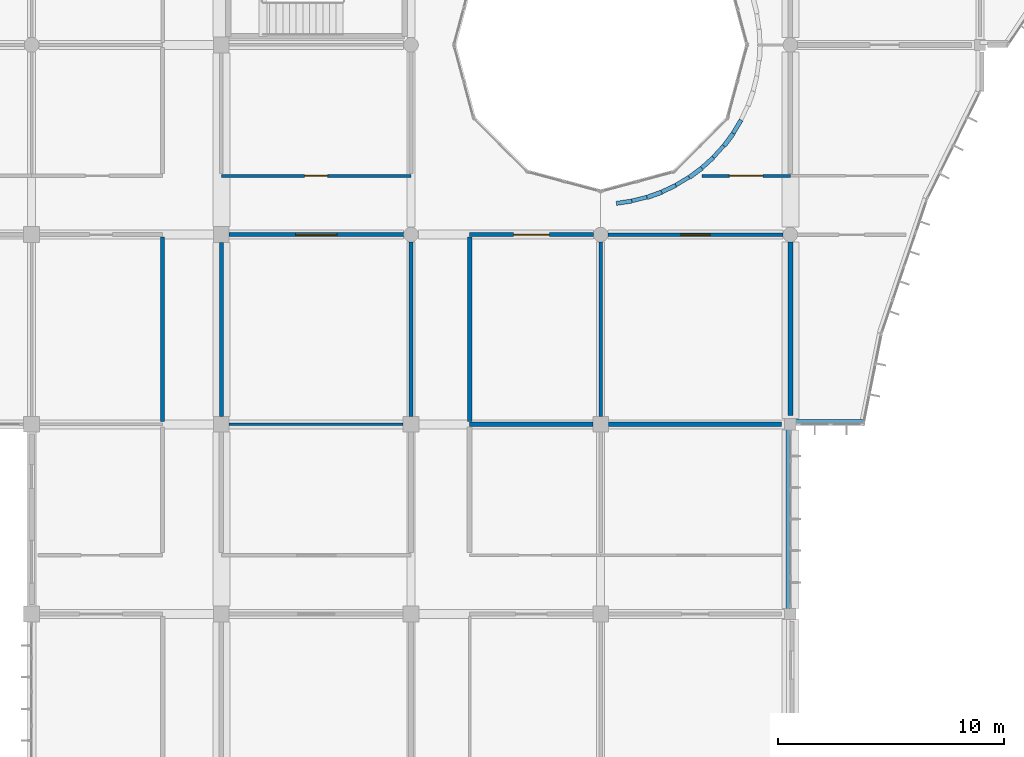
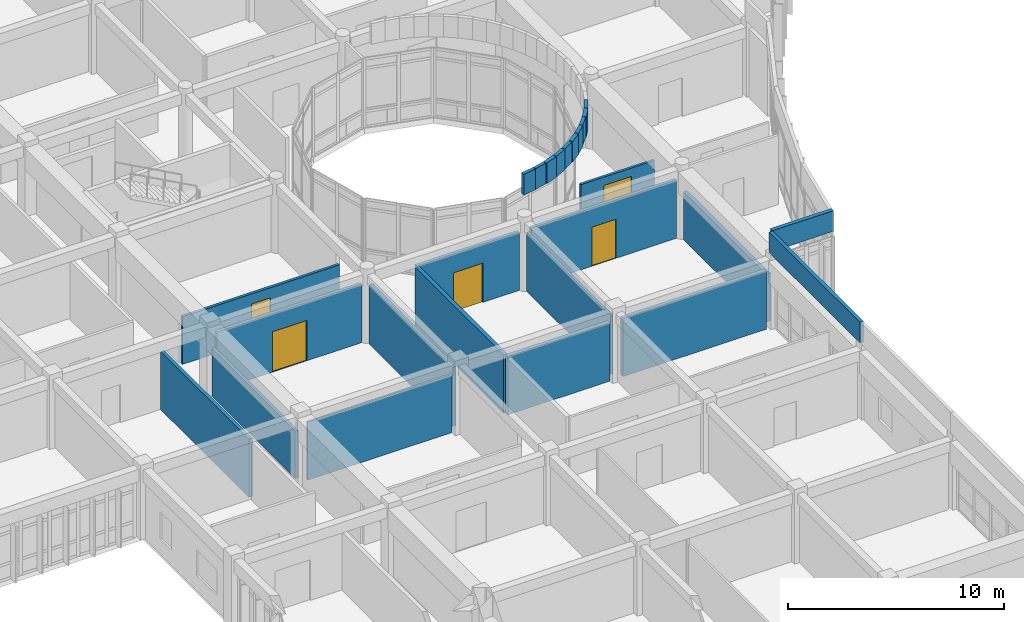
# One storey, part 82 of 119: 26 walls, 5 doors, 5 openings.
"""IFC4 building model written with IfcOpenShell, lengths in metres."""

import ifcopenshell
import ifcopenshell.guid

model = None  # the IFC model being written
_history = None  # IfcOwnerHistory: only IFC2X3 demands one
_inside = {}  # id of a spatial element -> (the spatial element, [elements in it])
_under = {}  # id of a project, library or spatial element -> (it, [spatial elements below it])
_declared = {}  # id of a project -> (the project, [libraries it declares])
_typed = {}  # id of a type object -> (the type object, [elements of that type])
_made_of = {}  # id of a material, layer set ... -> (it, [elements and type objects made of it])


def new_model(schema):
    """Start an empty IFC model of exactly this schema.

    Asked for "IFC4X3", IfcOpenShell would pick the latest addendum, in which some entities
    have other attributes; the version numbers below select the first issue.
    IFC2X3 requires an IfcOwnerHistory on every rooted entity: one is made here for all.
    """
    global model, _history
    if schema == "IFC4X3":
        model = ifcopenshell.file(schema_version=(4, 3, 0, 0))
    else:
        model = ifcopenshell.file(schema=schema)
    _inside.clear()
    _under.clear()
    _declared.clear()
    _typed.clear()
    _made_of.clear()
    _history = None
    if model.schema == "IFC2X3":
        org = make("IfcOrganization", Name="unknown")
        user = make(
            "IfcPersonAndOrganization",
            ThePerson=make("IfcPerson", FamilyName="unknown"),
            TheOrganization=org,
        )
        app = make(
            "IfcApplication",
            ApplicationDeveloper=org,
            Version="unknown",
            ApplicationFullName="unknown",
            ApplicationIdentifier="unknown",
        )
        _history = make(
            "IfcOwnerHistory",
            OwningUser=user,
            OwningApplication=app,
            ChangeAction="ADDED",
            CreationDate=0,
        )
    return model


def make(cls, **values):
    """One entity of the class cls with the attributes given. An attribute that is None is left unset."""
    return model.create_entity(
        cls, **{name: value for name, value in values.items() if value is not None}
    )


def rooted(cls, **values):
    """An entity with a GlobalId (a new one), such as an element, a storey or a relation."""
    return make(cls, GlobalId=ifcopenshell.guid.new(), OwnerHistory=_history, **values)


def si_unit(unit_type, name, prefix=None):
    """IfcSIUnit, for example si_unit("LENGTHUNIT", "METRE", prefix="MILLI")."""
    return make("IfcSIUnit", UnitType=unit_type, Prefix=prefix, Name=name)


def assignment(units):
    """IfcUnitAssignment: the units of a project."""
    return None if units is None else make("IfcUnitAssignment", Units=units)


def point(xyz):
    """IfcCartesianPoint."""
    return None if xyz is None else make("IfcCartesianPoint", Coordinates=xyz)


def direction(xyz):
    """IfcDirection."""
    return None if xyz is None else make("IfcDirection", DirectionRatios=xyz)


def frame(location, z_axis=None, x_axis=None):
    """IfcAxis2Placement3D, a coordinate frame: its origin and axes. An axis left out is left unset."""
    return make(
        "IfcAxis2Placement3D",
        Location=point(location),
        Axis=direction(z_axis),
        RefDirection=direction(x_axis),
    )


def frame_2d(location, x_axis=None):
    """IfcAxis2Placement2D, a coordinate frame in the plane: its origin and x axis."""
    return make(
        "IfcAxis2Placement2D", Location=point(location), RefDirection=direction(x_axis)
    )


def origin():
    """The frame at (0, 0, 0) with its axes left unset."""
    return frame((0.0, 0.0, 0.0))


def place(relative_to, where):
    """IfcLocalPlacement: puts the frame where relative to a parent placement (None: the world)."""
    return make(
        "IfcLocalPlacement", PlacementRelTo=relative_to, RelativePlacement=where
    )


def context(
    kind, dimensions, precision=None, world=None, true_north=None, identifier=None
):
    """IfcGeometricRepresentationContext, for example the 3D "Model" context."""
    return make(
        "IfcGeometricRepresentationContext",
        ContextIdentifier=identifier,
        ContextType=kind,
        CoordinateSpaceDimension=dimensions,
        Precision=precision,
        WorldCoordinateSystem=world,
        TrueNorth=true_north,
    )


def subcontext(parent, identifier, kind, view, scale=None):
    """IfcGeometricRepresentationSubContext, for example "Body" below "Model"."""
    return make(
        "IfcGeometricRepresentationSubContext",
        ContextIdentifier=identifier,
        ContextType=kind,
        ParentContext=parent,
        TargetScale=scale,
        TargetView=view,
    )


def project(units=None, contexts=None):
    """IfcProject with its units and contexts."""
    return rooted(
        "IfcProject",
        Name="project",
        RepresentationContexts=contexts,
        UnitsInContext=assignment(units),
    )


def spatial(cls, under=None, at=None, **own):
    """A site, building, storey or space (cls), placed at a placement, below another one or the project."""
    s = rooted(cls, ObjectPlacement=at, **own)
    if under is not None:
        _under.setdefault(under.id(), (under, []))[1].append(s)
    return s


def profile(cls, at=None, kind="AREA", **sizes):
    """A parametric profile (cls). Its sizes go by their IFC names, for example OverallWidth=200.0."""
    return make(cls, ProfileType=kind, Position=at, **sizes)


def rectangle(**sizes):
    """IfcRectangleProfileDef."""
    return profile("IfcRectangleProfileDef", **sizes)


def extrude(swept, where, along, depth):
    """IfcExtrudedAreaSolid: the profile swept, set in the frame where, extruded along a direction by depth."""
    return make(
        "IfcExtrudedAreaSolid",
        SweptArea=swept,
        Position=where,
        ExtrudedDirection=direction(along),
        Depth=depth,
    )


def shape(context_of_items, identifier, shape_type, items):
    """IfcShapeRepresentation: the items that make up one representation, for example the "Body"."""
    return make(
        "IfcShapeRepresentation",
        ContextOfItems=context_of_items,
        RepresentationIdentifier=identifier,
        RepresentationType=shape_type,
        Items=items,
    )


def material(Name=None, Category=None):
    """IfcMaterial."""
    return make("IfcMaterial", Name=Name, Category=Category)


def layer(
    of_material, thickness, ventilated=None, Name=None, Category=None, Priority=None
):
    """IfcMaterialLayer: one layer of a wall or slab, of a material (None: an air gap)."""
    return make(
        "IfcMaterialLayer",
        Material=of_material,
        LayerThickness=thickness,
        IsVentilated=ventilated,
        Name=Name,
        Category=Category,
        Priority=Priority,
    )


def layer_set(layers, Name=None):
    """IfcMaterialLayerSet."""
    return make("IfcMaterialLayerSet", MaterialLayers=layers, LayerSetName=Name)


def made_of(thing, what):
    """Note that an element or type object is made of a material, layer set ...; save() writes the relation."""
    if what is not None:
        _made_of.setdefault(what.id(), (what, []))[1].append(thing)
    return thing


def type_object(cls, material=None, **own):
    """A type object (cls), such as IfcWallType, which elements share."""
    return made_of(rooted(cls, **own), material)


def element(
    cls,
    number,
    at=None,
    inside=None,
    cuts=None,
    type_object=None,
    material=None,
    context=None,
    identifier="Body",
    shape_type=None,
    held_by="IfcProductDefinitionShape",
    body=None,
    shapes=None,
    **own,
):
    """One element of the class cls, such as IfcWall. Its Tag is "e" and its number.

    at: its placement. inside: the storey or other place that contains it. cuts: it is an
    opening in that element (IfcRelVoidsElement). A single representation is given by context,
    identifier, shape_type and body (its items); several are given by shapes. held_by: the class
    of the entity that holds the representations. save() writes the other relations.
    """
    e = rooted(cls, Tag="e%d" % number, ObjectPlacement=at, **own)
    if body is not None:
        shapes = [shape(context, identifier, shape_type, body)]
    if shapes is not None:
        e.Representation = make(held_by, Representations=shapes)
    if inside is not None:
        _inside.setdefault(inside.id(), (inside, []))[1].append(e)
    if cuts is not None:
        rooted(
            "IfcRelVoidsElement", RelatingBuildingElement=cuts, RelatedOpeningElement=e
        )
    if type_object is not None:
        _typed.setdefault(type_object.id(), (type_object, []))[1].append(e)
    return made_of(e, material)


def fill(opening, filler):
    """IfcRelFillsElement: the door or window that sits in an opening."""
    return rooted(
        "IfcRelFillsElement",
        RelatingOpeningElement=opening,
        RelatedBuildingElement=filler,
    )


def aggregate(whole, parts):
    """IfcRelAggregates: a whole, such as a stair, and the parts it consists of."""
    return rooted("IfcRelAggregates", RelatingObject=whole, RelatedObjects=parts)


def save(model, path):
    """Write the relations noted so far, then the file.

    IfcRelAggregates (storeys below a building ...), IfcRelContainedInSpatialStructure (elements
    in a storey), IfcRelDefinesByType, IfcRelAssociatesMaterial and IfcRelDeclares: one each for
    every whole, place, type object, material and project.
    """
    for whole, parts in _under.values():
        aggregate(whole, parts)
    for where, things in _inside.values():
        rooted(
            "IfcRelContainedInSpatialStructure",
            RelatedElements=things,
            RelatingStructure=where,
        )
    for kind, things in _typed.values():
        rooted("IfcRelDefinesByType", RelatedObjects=things, RelatingType=kind)
    for what, things in _made_of.values():
        rooted("IfcRelAssociatesMaterial", RelatedObjects=things, RelatingMaterial=what)
    for by, libraries in _declared.values():
        rooted("IfcRelDeclares", RelatingContext=by, RelatedDefinitions=libraries)
    model.write(path)


model = new_model("IFC4")

# Units and contexts
model_context = context("Model", 3, precision=1e-05, world=origin(), true_north=direction((0.0, 1.0)))
body_context = subcontext(model_context, "Body", "Model", "MODEL_VIEW")
ifc_project = project(units=[si_unit("LENGTHUNIT", "METRE"), si_unit("AREAUNIT", "SQUARE_METRE"), si_unit("VOLUMEUNIT", "CUBIC_METRE"), si_unit("PLANEANGLEUNIT", "RADIAN"), si_unit("MASSUNIT", "GRAM", prefix="KILO")], contexts=[model_context])

# Site, building, storey
site_placement = place(None, origin())
site = spatial("IfcSite", under=ifc_project, at=site_placement, CompositionType="ELEMENT")
building_placement = place(site_placement, origin())
building = spatial("IfcBuilding", under=site, at=building_placement, Name="Bramfleet General Hospital", CompositionType="ELEMENT")
storey_placement = place(building_placement, frame((0.0, 0.0, 14.39990234375)))
storey = spatial("IfcBuildingStorey", under=building, at=storey_placement, Name="L03", CompositionType="ELEMENT", Elevation=14.39990234375)

# Walls
ifc_material_1 = material(Name="Concrete C35/45", Category="concrete")
ifc_layer_1 = layer(ifc_material_1, 0.219970703125, Name="WT-IW-01")
ifc_layer_set_1 = layer_set([ifc_layer_1], Name="Concrete C35/45")
wall_type_1 = type_object("IfcWallType", Name="WT-IW-01", PredefinedType="PARTITIONING", material=ifc_layer_set_1)
wall_1_placement = place(storey_placement, frame((111.800048828125, 50.39990234375, 0.0), z_axis=(0.0, 0.0, 1.0), x_axis=(1.0, 0.0, 0.0)))
element("IfcWall", 1, at=wall_1_placement, inside=storey, type_object=wall_type_1, Name="L03 Interior Partition IW-L03-2533", PredefinedType="PARTITIONING", context=body_context, shape_type="SweptSolid", body=[
    extrude(rectangle(XDim=5.454833984375, YDim=0.219970703125, at=frame_2d((2.7275390625, 0.0))), origin(), (0.0, 0.0, 1.0), 3.2900390625),
])
wall_2_placement = place(storey_placement, frame((126.0, 50.7900390625, 0.0), z_axis=(0.0, 0.0, 1.0), x_axis=(0.0, 1.0, 0.0)))
element("IfcWall", 2, at=wall_2_placement, inside=storey, type_object=wall_type_1, Name="L03 Interior Partition IW-L03-3001", PredefinedType="PARTITIONING", context=body_context, shape_type="SweptSolid", body=[
    extrude(rectangle(XDim=7.68994140625, YDim=0.219970703125, at=frame_2d((3.844970703125, 0.0))), origin(), (0.0, 0.0, 1.0), 2.690185546875),
])
ifc_layer_2 = layer(ifc_material_1, 0.205078125, Name="WT-IW-02")
ifc_layer_set_2 = layer_set([ifc_layer_2], Name="Concrete C35/45")
wall_type_2 = type_object("IfcWallType", Name="WT-IW-02", PredefinedType="PARTITIONING", material=ifc_layer_set_2)
wall_3_placement = place(storey_placement, frame((117.945068359375, 50.39990234375, 0.0), z_axis=(0.0, 0.0, 1.0), x_axis=(1.0, 0.0, 0.0)))
element("IfcWall", 3, at=wall_3_placement, inside=storey, type_object=wall_type_2, Name="L03 Interior Partition IW-L03-2534", PredefinedType="PARTITIONING", context=body_context, shape_type="SweptSolid", body=[
    extrude(rectangle(XDim=7.67236328125, YDim=0.205078125, at=frame_2d((3.836181640625, 0.0))), origin(), (0.0, 0.0, 1.0), 3.2900390625),
])
wall_4_placement = place(storey_placement, frame((111.800048828125, 50.514892578125, 0.0), z_axis=(0.0, 0.0, 1.0), x_axis=(0.0, 1.0, 0.0)))
element("IfcWall", 4, at=wall_4_placement, inside=storey, type_object=wall_type_2, Name="L03 Interior Partition IW-L03-2966", PredefinedType="PARTITIONING", context=body_context, shape_type="SweptSolid", body=[
    extrude(rectangle(XDim=8.170166015625, YDim=0.205078125, at=frame_2d((4.0849609375, 0.0))), origin(), (0.0, 0.0, 1.0), 3.2900390625),
])
ifc_layer_3 = layer(ifc_material_1, 0.18994140625, Name="WT-IW-03")
ifc_layer_set_3 = layer_set([ifc_layer_3], Name="Concrete C35/45")
wall_type_3 = type_object("IfcWallType", Name="WT-IW-03", PredefinedType="PARTITIONING", material=ifc_layer_set_3)
wall_5_placement = place(storey_placement, frame((109.199951171875, 50.7451171875, 0.0), z_axis=(0.0, 0.0, 1.0), x_axis=(0.0, 1.0, 0.0)))
element("IfcWall", 5, at=wall_5_placement, inside=storey, type_object=wall_type_3, Name="L03 Interior Partition IW-L03-2955", PredefinedType="PARTITIONING", context=body_context, shape_type="SweptSolid", body=[
    extrude(rectangle(XDim=7.73486328125, YDim=0.18994140625, at=frame_2d((3.867431640625, 0.0))), origin(), (0.0, 0.0, 1.0), 3.340087890625),
])

# Wall, opening, door
ifc_layer_4 = layer(ifc_material_1, 0.179931640625, Name="WT-IW-04")
ifc_layer_set_4 = layer_set([ifc_layer_4], Name="Concrete C35/45")
wall_type_4 = type_object("IfcWallType", Name="WT-IW-04", PredefinedType="PARTITIONING", material=ifc_layer_set_4)
wall_6_placement = place(storey_placement, frame((101.14501953125, 58.800048828125, 0.0), z_axis=(0.0, 0.0, 1.0), x_axis=(1.0, 0.0, 0.0)))
wall_6 = element("IfcWall", 6, at=wall_6_placement, inside=storey, type_object=wall_type_4, Name="L03 Interior Partition IW-L03-2548", PredefinedType="PARTITIONING", context=body_context, shape_type="SweptSolid", body=[
    extrude(rectangle(XDim=7.73486328125, YDim=0.179931640625, at=frame_2d((3.867431640625, 0.0))), origin(), (0.0, 0.0, 1.0), 3.2900390625),
])
opening_1_placement = place(wall_6_placement, frame((2.947509765625, 0.0, 0.0)))
opening_1 = element("IfcOpeningElement", 7, at=opening_1_placement, cuts=wall_6, Name="Opening D1140", PredefinedType="OPENING", context=body_context, shape_type="SweptSolid", body=[
    extrude(rectangle(XDim=1.840087890625, YDim=2.280029296875, at=frame_2d((0.919921875, 1.14013671875))), frame((0.0, 0.099853515625, 0.0), z_axis=(0.0, -1.0, 0.0), x_axis=(1.0, 0.0, 0.0)), (0.0, 0.0, 1.0), 0.199951171875),
])
ifc_material_2 = material(Name="Stainless steel and acoustic timber leaf", Category="steel")
door_type_1 = type_object("IfcDoorType", Name="DR-D-20", OperationType="NOTDEFINED", PredefinedType="DOOR", material=ifc_material_2)
door_1_placement = place(opening_1_placement, origin())
door_1 = element("IfcDoor", 8, at=door_1_placement, inside=storey, type_object=door_type_1, Name="Maternity Delivery Suite and Clinical Lab L03-1206 Door D1140", OperationType="DOUBLE_SWING_LEFT", OverallHeight=2.280029296875, OverallWidth=1.840087890625, PredefinedType="DOOR", context=body_context, shape_type="SweptSolid", body=[
    extrude(rectangle(XDim=1.840087890625, YDim=2.280029296875, at=frame_2d((0.919921875, 1.14013671875))), frame((0.0, 0.02490234375, 0.0), z_axis=(0.0, -1.0, 0.0), x_axis=(1.0, 0.0, 0.0)), (0.0, 0.0, 1.0), 0.050048828125),
])
fill(opening_1, door_1)

# Walls
wall_7_placement = place(storey_placement, frame((98.199951171875, 50.514892578125, 0.0), z_axis=(0.0, 0.0, 1.0), x_axis=(0.0, 1.0, 0.0)))
element("IfcWall", 9, at=wall_7_placement, inside=storey, type_object=wall_type_4, Name="L03 Interior Partition IW-L03-2932", PredefinedType="PARTITIONING", context=body_context, shape_type="SweptSolid", body=[
    extrude(rectangle(XDim=8.170166015625, YDim=0.179931640625, at=frame_2d((4.0849609375, 0.0))), origin(), (0.0, 0.0, 1.0), 3.2900390625),
])
wall_8_placement = place(storey_placement, frame((100.800048828125, 50.7451171875, 0.0), z_axis=(0.0, 0.0, 1.0), x_axis=(0.0, 1.0, 0.0)))
element("IfcWall", 10, at=wall_8_placement, inside=storey, type_object=wall_type_4, Name="L03 Interior Partition IW-L03-2944", PredefinedType="PARTITIONING", context=body_context, shape_type="SweptSolid", body=[
    extrude(rectangle(XDim=7.7099609375, YDim=0.179931640625, at=frame_2d((3.85498046875, 0.0))), origin(), (0.0, 0.0, 1.0), 2.690185546875),
])

# Wall, opening, door
ifc_material_3 = material(Name="Gypsum plasterboard on acoustic steel studs", Category="steel")
ifc_layer_5 = layer(ifc_material_3, 0.169921875, Name="WT-IW-05")
ifc_layer_set_5 = layer_set([ifc_layer_5], Name="Gypsum plasterboard on acoustic steel studs")
wall_type_5 = type_object("IfcWallType", Name="WT-IW-05", PredefinedType="PARTITIONING", material=ifc_layer_set_5)
wall_9_placement = place(storey_placement, frame((111.800048828125, 58.800048828125, 0.0), z_axis=(0.0, 0.0, 1.0), x_axis=(1.0, 0.0, 0.0)))
wall_9 = element("IfcWall", 11, at=wall_9_placement, inside=storey, type_object=wall_type_5, Name="L03 Interior Partition IW-L03-2549", PredefinedType="PARTITIONING", context=body_context, shape_type="SweptSolid", body=[
    extrude(rectangle(XDim=5.47998046875, YDim=0.169921875, at=frame_2d((2.739990234375, 0.0))), origin(), (0.0, 0.0, 1.0), 3.2900390625),
])
opening_2_placement = place(wall_9_placement, frame((1.949951171875, 0.0, 0.0)))
opening_2 = element("IfcOpeningElement", 12, at=opening_2_placement, cuts=wall_9, Name="Opening D1152", PredefinedType="OPENING", context=body_context, shape_type="SweptSolid", body=[
    extrude(rectangle(XDim=1.580078125, YDim=2.219970703125, at=frame_2d((0.7900390625, 1.10986328125))), frame((0.0, 0.094970703125, 0.0), z_axis=(0.0, -1.0, 0.0), x_axis=(1.0, 0.0, 0.0)), (0.0, 0.0, 1.0), 0.18994140625),
])
door_type_2 = type_object("IfcDoorType", Name="DR-D-32", OperationType="NOTDEFINED", PredefinedType="DOOR", material=ifc_material_2)
door_2_placement = place(opening_2_placement, origin())
door_2 = element("IfcDoor", 13, at=door_2_placement, inside=storey, type_object=door_type_2, Name="Maternity Delivery Suite and Clinical Lab L03-1306 Door D1152", OperationType="DOUBLE_SWING_LEFT", OverallHeight=2.219970703125, OverallWidth=1.580078125, PredefinedType="DOOR", context=body_context, shape_type="SweptSolid", body=[
    extrude(rectangle(XDim=1.580078125, YDim=2.219970703125, at=frame_2d((0.7900390625, 1.10986328125))), frame((0.0, 0.02490234375, 0.0), z_axis=(0.0, -1.0, 0.0), x_axis=(1.0, 0.0, 0.0)), (0.0, 0.0, 1.0), 0.050048828125),
])
fill(opening_2, door_2)

ifc_layer_6 = layer(ifc_material_3, 0.159912109375, Name="WT-IW-06")
ifc_layer_set_6 = layer_set([ifc_layer_6], Name="Gypsum plasterboard on acoustic steel studs")
wall_type_6 = type_object("IfcWallType", Name="WT-IW-06", PredefinedType="PARTITIONING", material=ifc_layer_set_6)
wall_10_placement = place(storey_placement, frame((117.919921875, 58.800048828125, 0.0), z_axis=(0.0, 0.0, 1.0), x_axis=(1.0, 0.0, 0.0)))
wall_10 = element("IfcWall", 14, at=wall_10_placement, inside=storey, type_object=wall_type_6, Name="L03 Interior Partition IW-L03-2550", PredefinedType="PARTITIONING", context=body_context, shape_type="SweptSolid", body=[
    extrude(rectangle(XDim=7.760009765625, YDim=0.159912109375, at=frame_2d((3.8798828125, 0.0))), origin(), (0.0, 0.0, 1.0), 3.2900390625),
])
opening_3_placement = place(wall_10_placement, frame((3.22998046875, 0.0, 0.0)))
opening_3 = element("IfcOpeningElement", 15, at=opening_3_placement, cuts=wall_10, Name="Opening D1167", PredefinedType="OPENING", context=body_context, shape_type="SweptSolid", body=[
    extrude(rectangle(XDim=1.300048828125, YDim=2.199951171875, at=frame_2d((0.64990234375, 1.10009765625))), frame((0.0, 0.08984375, 0.0), z_axis=(0.0, -1.0, 0.0), x_axis=(1.0, 0.0, 0.0)), (0.0, 0.0, 1.0), 0.179931640625),
])
door_type_3 = type_object("IfcDoorType", Name="DR-D-15", OperationType="NOTDEFINED", PredefinedType="DOOR", material=ifc_material_2)
door_3_placement = place(opening_3_placement, origin())
door_3 = element("IfcDoor", 16, at=door_3_placement, inside=storey, type_object=door_type_3, Name="Maternity Delivery Suite and Clinical Lab L03-1406 Door D1167", OperationType="SINGLE_SWING_RIGHT", OverallHeight=2.199951171875, OverallWidth=1.300048828125, PredefinedType="DOOR", context=body_context, shape_type="SweptSolid", body=[
    extrude(rectangle(XDim=1.300048828125, YDim=2.199951171875, at=frame_2d((0.64990234375, 1.10009765625))), frame((0.0, 0.02490234375, 0.0), z_axis=(0.0, -1.0, 0.0), x_axis=(1.0, 0.0, 0.0)), (0.0, 0.0, 1.0), 0.050048828125),
])
fill(opening_3, door_3)

ifc_layer_7 = layer(ifc_material_3, 0.139892578125, Name="WT-IW-08")
ifc_layer_set_7 = layer_set([ifc_layer_7], Name="Gypsum plasterboard on acoustic steel studs")
wall_type_7 = type_object("IfcWallType", Name="WT-IW-08", PredefinedType="PARTITIONING", material=ifc_layer_set_7)
wall_11_placement = place(storey_placement, frame((100.800048828125, 61.39990234375, 0.0), z_axis=(0.0, 0.0, 1.0), x_axis=(1.0, 0.0, 0.0)))
wall_11 = element("IfcWall", 17, at=wall_11_placement, inside=storey, type_object=wall_type_7, Name="L03 Interior Partition IW-L03-2564", PredefinedType="PARTITIONING", context=body_context, shape_type="SweptSolid", body=[
    extrude(rectangle(XDim=8.39990234375, YDim=0.139892578125, at=frame_2d((4.199951171875, 0.0))), origin(), (0.0, 0.0, 1.0), 2.690185546875),
])
opening_4_placement = place(wall_11_placement, frame((3.68994140625, 0.0, 0.0)))
opening_4 = element("IfcOpeningElement", 18, at=opening_4_placement, cuts=wall_11, Name="Opening D1141", PredefinedType="OPENING", context=body_context, shape_type="SweptSolid", body=[
    extrude(rectangle(XDim=1.02001953125, YDim=2.1201171875, at=frame_2d((0.510009765625, 1.06005859375))), frame((0.0, 0.079833984375, 0.0), z_axis=(0.0, -1.0, 0.0), x_axis=(1.0, 0.0, 0.0)), (0.0, 0.0, 1.0), 0.159912109375),
])
door_type_4 = type_object("IfcDoorType", Name="DR-D-21", OperationType="NOTDEFINED", PredefinedType="DOOR", material=ifc_material_2)
door_4_placement = place(opening_4_placement, origin())
door_4 = element("IfcDoor", 19, at=door_4_placement, inside=storey, type_object=door_type_4, Name="Maternity Delivery Suite and Clinical Lab L03-1207 Door D1141", OperationType="SINGLE_SWING_RIGHT", OverallHeight=2.1201171875, OverallWidth=1.02001953125, PredefinedType="DOOR", context=body_context, shape_type="SweptSolid", body=[
    extrude(rectangle(XDim=1.02001953125, YDim=2.1201171875, at=frame_2d((0.510009765625, 1.06005859375))), frame((0.0, 0.02490234375, 0.0), z_axis=(0.0, -1.0, 0.0), x_axis=(1.0, 0.0, 0.0)), (0.0, 0.0, 1.0), 0.050048828125),
])
fill(opening_4, door_4)

# Wall
wall_12_placement = place(storey_placement, frame((117.60009765625, 50.7451171875, 0.0), z_axis=(0.0, 0.0, 1.0), x_axis=(0.0, 1.0, 0.0)))
element("IfcWall", 20, at=wall_12_placement, inside=storey, type_object=wall_type_7, Name="L03 Interior Partition IW-L03-2984", PredefinedType="PARTITIONING", context=body_context, shape_type="SweptSolid", body=[
    extrude(rectangle(XDim=7.73486328125, YDim=0.139892578125, at=frame_2d((3.867431640625, 0.0))), origin(), (0.0, 0.0, 1.0), 3.340087890625),
])

# Wall, opening, door
ifc_layer_8 = layer(ifc_material_3, 0.1298828125, Name="WT-IW-09")
ifc_layer_set_8 = layer_set([ifc_layer_8], Name="Gypsum plasterboard on acoustic steel studs")
wall_type_8 = type_object("IfcWallType", Name="WT-IW-09", PredefinedType="PARTITIONING", material=ifc_layer_set_8)
wall_13_placement = place(storey_placement, frame((122.087158203125, 61.39990234375, 0.0), z_axis=(0.0, 0.0, 1.0), x_axis=(1.0, 0.0, 0.0)))
wall_13 = element("IfcWall", 21, at=wall_13_placement, inside=storey, type_object=wall_type_8, Name="L03 Interior Partition IW-L03-2565", PredefinedType="PARTITIONING", context=body_context, shape_type="SweptSolid", body=[
    extrude(rectangle(XDim=3.912841796875, YDim=0.1298828125, at=frame_2d((1.95654296875, 0.0))), origin(), (0.0, 0.0, 1.0), 2.690185546875),
])
opening_5_placement = place(wall_13_placement, frame((1.21630859375, 0.0, 0.0)))
opening_5 = element("IfcOpeningElement", 22, at=opening_5_placement, cuts=wall_13, Name="Opening D1168", PredefinedType="OPENING", context=body_context, shape_type="SweptSolid", body=[
    extrude(rectangle(XDim=1.47998046875, YDim=2.219970703125, at=frame_2d((0.739990234375, 1.10986328125))), frame((0.0, 0.074951171875, 0.0), z_axis=(0.0, -1.0, 0.0), x_axis=(1.0, 0.0, 0.0)), (0.0, 0.0, 1.0), 0.14990234375),
])
door_type_5 = type_object("IfcDoorType", Name="DR-D-16", OperationType="NOTDEFINED", PredefinedType="DOOR", material=ifc_material_2)
door_5_placement = place(opening_5_placement, origin())
door_5 = element("IfcDoor", 23, at=door_5_placement, inside=storey, type_object=door_type_5, Name="Courtyard Waiting Lounge L03-1407 Door D1168", OperationType="SINGLE_SWING_LEFT", OverallHeight=2.219970703125, OverallWidth=1.47998046875, PredefinedType="DOOR", context=body_context, shape_type="SweptSolid", body=[
    extrude(rectangle(XDim=1.47998046875, YDim=2.219970703125, at=frame_2d((0.739990234375, 1.10986328125))), frame((0.0, 0.02490234375, 0.0), z_axis=(0.0, -1.0, 0.0), x_axis=(1.0, 0.0, 0.0)), (0.0, 0.0, 1.0), 0.050048828125),
])
fill(opening_5, door_5)

# Walls
ifc_layer_9 = layer(ifc_material_3, 0.10009765625, Name="WT-IW-12")
ifc_layer_set_9 = layer_set([ifc_layer_9], Name="Gypsum plasterboard on acoustic steel studs")
wall_type_9 = type_object("IfcWallType", Name="WT-IW-12", PredefinedType="PARTITIONING", material=ifc_layer_set_9)
wall_14_placement = place(storey_placement, frame((101.14501953125, 50.39990234375, 0.0), z_axis=(0.0, 0.0, 1.0), x_axis=(1.0, 0.0, 0.0)))
element("IfcWall", 24, at=wall_14_placement, inside=storey, type_object=wall_type_9, Name="L03 Interior Partition IW-L03-2532", PredefinedType="PARTITIONING", context=body_context, shape_type="SweptSolid", body=[
    extrude(rectangle(XDim=7.7099609375, YDim=0.10009765625, at=frame_2d((3.85498046875, 0.0))), origin(), (0.0, 0.0, 1.0), 3.2900390625),
])
ifc_material_4 = material(Name="Precast concrete C40/50", Category="concrete")
ifc_layer_10 = layer(ifc_material_4, 0.199951171875, Name="WT-PW-01")
ifc_layer_set_10 = layer_set([ifc_layer_10], Name="Precast concrete C40/50")
wall_type_10 = type_object("IfcWallType", Name="WT-PW-01", PredefinedType="PARAPET", material=ifc_layer_set_10)
wall_15_placement = place(storey_placement, frame((129.2353515625, 50.510009765625, 4.18017578125), z_axis=(0.0, 0.0, 1.0), x_axis=(-1.0, 0.0, 0.0)))
element("IfcWall", 25, at=wall_15_placement, inside=storey, type_object=wall_type_10, Name="Roof Parapet Wall 13", PredefinedType="PARAPET", context=body_context, shape_type="SweptSolid", body=[
    extrude(rectangle(XDim=3.2353515625, YDim=0.199951171875, at=frame_2d((1.61767578125, 0.0))), origin(), (0.0, 0.0, 1.0), 1.169921875),
])
wall_16_placement = place(storey_placement, frame((119.654541015625, 60.44580078125, 4.18017578125), z_axis=(0.0, 0.0, 1.0), x_axis=(0.941660878407, 0.336563203689, 0.0)))
element("IfcWall", 26, at=wall_16_placement, inside=storey, type_object=wall_type_10, Name="Roof Parapet Wall 19", PredefinedType="PARAPET", context=body_context, shape_type="SweptSolid", body=[
    extrude(rectangle(XDim=0.681884765625, YDim=0.199951171875, at=frame_2d((0.3408203125, 0.0))), origin(), (0.0, 0.0, 1.0), 1.169921875),
])
wall_17_placement = place(storey_placement, frame((121.526611328125, 61.3330078125, 4.18017578125), z_axis=(0.0, 0.0, 1.0), x_axis=(0.803252714924, 0.595638376842, 0.0)))
element("IfcWall", 27, at=wall_17_placement, inside=storey, type_object=wall_type_10, Name="Roof Parapet Wall 22", PredefinedType="PARAPET", context=body_context, shape_type="SweptSolid", body=[
    extrude(rectangle(XDim=0.68212890625, YDim=0.199951171875, at=frame_2d((0.341064453125, 0.0))), origin(), (0.0, 0.0, 1.0), 1.169921875),
])
wall_18_placement = place(storey_placement, frame((123.060791015625, 62.7255859375, 4.18017578125), z_axis=(0.0, 0.0, 1.0), x_axis=(0.595809675816, 0.803125662773, 0.0)))
element("IfcWall", 28, at=wall_18_placement, inside=storey, type_object=wall_type_10, Name="Roof Parapet Wall 25", PredefinedType="PARAPET", context=body_context, shape_type="SweptSolid", body=[
    extrude(rectangle(XDim=0.681884765625, YDim=0.199951171875, at=frame_2d((0.3408203125, 0.0))), origin(), (0.0, 0.0, 1.0), 1.169921875),
])
ifc_layer_11 = layer(ifc_material_4, 0.18505859375, Name="WT-PW-02")
ifc_layer_set_11 = layer_set([ifc_layer_11], Name="Precast concrete C40/50")
wall_type_11 = type_object("IfcWallType", Name="WT-PW-02", PredefinedType="PARAPET", material=ifc_layer_set_11)
wall_19_placement = place(storey_placement, frame((125.8974609375, 50.39990234375, 4.18017578125), z_axis=(0.0, 0.0, 1.0), x_axis=(0.0, -1.0, 0.0)))
element("IfcWall", 29, at=wall_19_placement, inside=storey, type_object=wall_type_11, Name="Roof Parapet Wall 14", PredefinedType="PARAPET", context=body_context, shape_type="SweptSolid", body=[
    extrude(rectangle(XDim=8.39990234375, YDim=0.18505859375, at=frame_2d((4.199951171875, 0.0))), origin(), (0.0, 0.0, 1.0), 1.169921875),
])
wall_20_placement = place(storey_placement, frame((118.296142578125, 60.18212890625, 4.18017578125), z_axis=(0.0, 0.0, 1.0), x_axis=(0.989228428741, 0.14638003884, 0.0)))
element("IfcWall", 30, at=wall_20_placement, inside=storey, type_object=wall_type_11, Name="Roof Parapet Wall 17", PredefinedType="PARAPET", context=body_context, shape_type="SweptSolid", body=[
    extrude(rectangle(XDim=0.68212890625, YDim=0.18505859375, at=frame_2d((0.341064453125, 0.0))), origin(), (0.0, 0.0, 1.0), 1.169921875),
])
wall_21_placement = place(storey_placement, frame((120.303466796875, 60.686279296875, 4.18017578125), z_axis=(0.0, 0.0, 1.0), x_axis=(0.90402195632, 0.427486026078, 0.0)))
element("IfcWall", 31, at=wall_21_placement, inside=storey, type_object=wall_type_11, Name="Roof Parapet Wall 20", PredefinedType="PARAPET", context=body_context, shape_type="SweptSolid", body=[
    extrude(rectangle(XDim=0.681884765625, YDim=0.18505859375, at=frame_2d((0.3408203125, 0.0))), origin(), (0.0, 0.0, 1.0), 1.169921875),
])
for number, where, z_axis, x_axis, name in (
    (32, (122.077880859375, 61.751708984375, 4.18017578125), (0.0, 0.0, 1.0), (0.740975819087, 0.671531708506, 0.0), "Roof Parapet Wall 23"),
    (33, (123.466552734375, 63.2861328125, 4.18017578125), (0.0, 0.0, 1.0), (0.514337838734, 0.857587655955, 0.0), "Roof Parapet Wall 26"),
):
    element("IfcWall", number, at=place(storey_placement, frame(where, z_axis=z_axis, x_axis=x_axis)), inside=storey, type_object=wall_type_11, Name=name, PredefinedType="PARAPET", context=body_context, shape_type="SweptSolid", body=[
        extrude(rectangle(XDim=0.68212890625, YDim=0.18505859375, at=frame_2d((0.341064453125, 0.0))), origin(), (0.0, 0.0, 1.0), 1.169921875),
    ])
ifc_layer_12 = layer(ifc_material_4, 0.169921875, Name="WT-PW-03")
ifc_layer_set_12 = layer_set([ifc_layer_12], Name="Precast concrete C40/50")
wall_type_12 = type_object("IfcWallType", Name="WT-PW-03", PredefinedType="PARAPET", material=ifc_layer_set_12)
for number, where, z_axis, x_axis, name in (
    (34, (118.97900390625, 60.291259765625, 4.18017578125), (0.0, 0.0, 1.0), (0.970016036951, 0.243040918483, 0.0), "Roof Parapet Wall 18"),
    (35, (120.925048828125, 60.989013671875, 4.18017578125), (0.0, 0.0, 1.0), (0.857587655955, 0.514337838734, 0.0), "Roof Parapet Wall 21"),
    (36, (122.584716796875, 62.2216796875, 4.18017578125), (0.0, 0.0, 1.0), (0.671353619811, 0.741137178373, 0.0), "Roof Parapet Wall 24"),
):
    element("IfcWall", number, at=place(storey_placement, frame(where, z_axis=z_axis, x_axis=x_axis)), inside=storey, type_object=wall_type_12, Name=name, PredefinedType="PARAPET", context=body_context, shape_type="SweptSolid", body=[
        extrude(rectangle(XDim=0.68212890625, YDim=0.169921875, at=frame_2d((0.341064453125, 0.0))), origin(), (0.0, 0.0, 1.0), 1.169921875),
    ])

save(model, "model.ifc")
